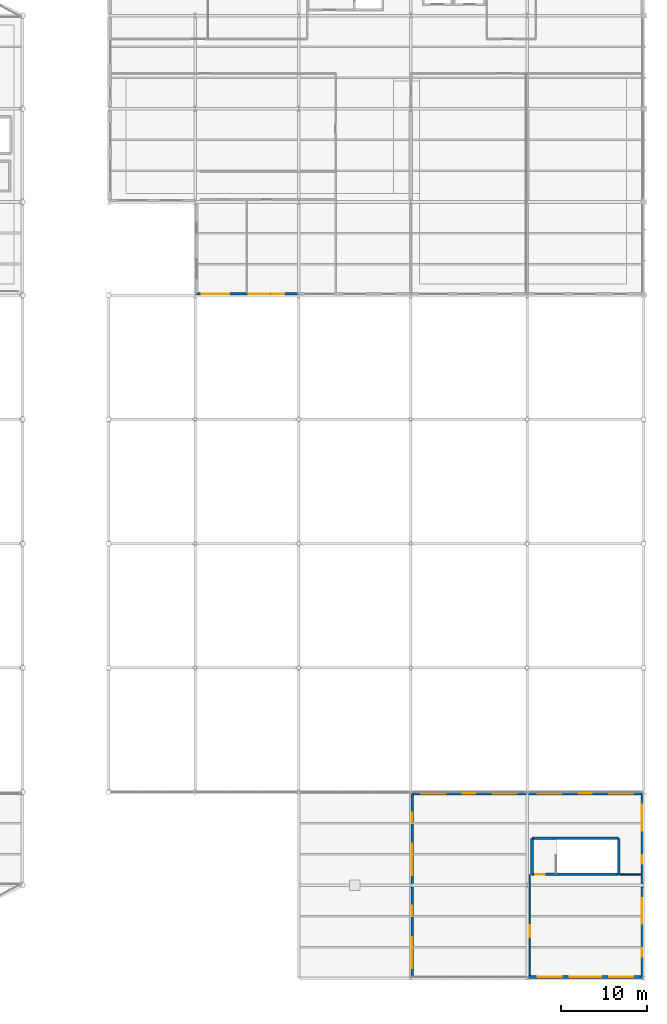
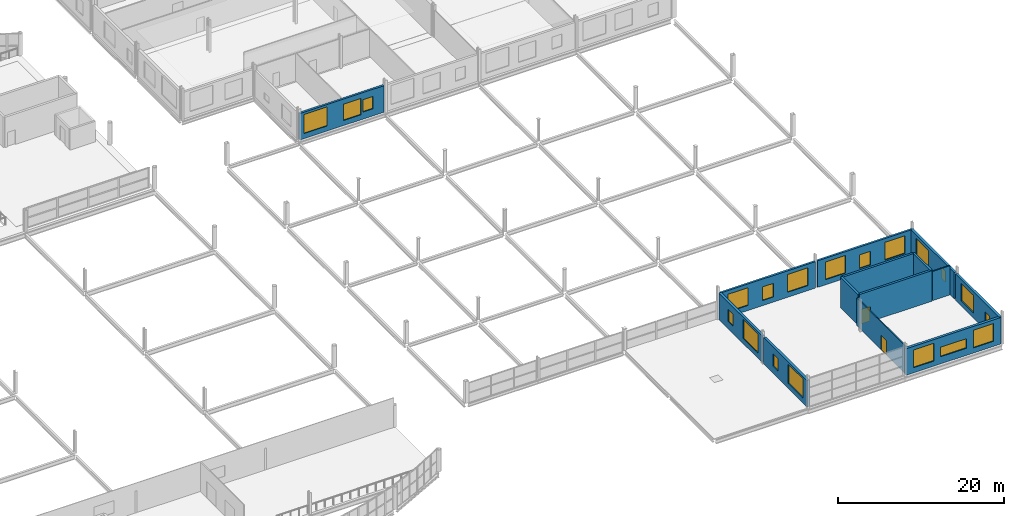
# One storey, part 124 of 134: 20 windows, 14 walls, 2 doors, 22 openings.
"""IFC4 building model written with IfcOpenShell, lengths in metres."""

from ifc_helpers import new_model, si_unit, direction, frame, frame_2d, origin, place, context, subcontext, project, spatial, rectangle, extrude, material, layer, layer_set, type_object, element, fill, save


model = new_model("IFC4")

# Units and contexts
model_context = context("Model", 3, precision=1e-05, world=origin(), true_north=direction((0.0, 1.0)))
body_context = subcontext(model_context, "Body", "Model", "MODEL_VIEW")
ifc_project = project(units=[si_unit("LENGTHUNIT", "METRE"), si_unit("AREAUNIT", "SQUARE_METRE"), si_unit("VOLUMEUNIT", "CUBIC_METRE"), si_unit("PLANEANGLEUNIT", "RADIAN"), si_unit("MASSUNIT", "GRAM", prefix="KILO")], contexts=[model_context])

# Site, building, storey
site_placement = place(None, origin())
site = spatial("IfcSite", under=ifc_project, at=site_placement, CompositionType="ELEMENT")
building_placement = place(site_placement, origin())
building = spatial("IfcBuilding", under=site, at=building_placement, Name="Tamarisk Ironworks Central Station", CompositionType="ELEMENT")
storey_placement = place(building_placement, frame((0.0, 0.0, 12.60009765625)))
storey = spatial("IfcBuildingStorey", under=building, at=storey_placement, Name="L02", CompositionType="ELEMENT", Elevation=12.60009765625)

# Wall, openings, windows
ifc_material_1 = material(Name="Clay facing brickwork and mortar", Category="masonry")
ifc_layer_1 = layer(ifc_material_1, 0.280029296875)
ifc_layer_set_1 = layer_set([ifc_layer_1], Name="Clay facing brickwork and mortar")
wall_type_1 = type_object("IfcWallType", Name="WL-BR280", PredefinedType="STANDARD", material=ifc_layer_set_1)
wall_1_placement = place(storey_placement, frame((128.14794921875, 79.340087890625, 0.0), z_axis=(0.0, 0.0, 1.0), x_axis=(1.0, 0.0, 0.0)))
wall_1 = element("IfcWall", 1, at=wall_1_placement, inside=storey, type_object=wall_type_1, Name="L02 brick facade wall 0068", PredefinedType="STANDARD", context=body_context, shape_type="SweptSolid", body=[
    extrude(rectangle(XDim=11.7041015625, YDim=0.280029296875, at=frame_2d((5.85205078125, 0.0))), origin(), (0.0, 0.0, 1.0), 3.89990234375),
])
opening_1_placement = place(wall_1_placement, frame((0.616943359375, 0.0, 0.75)))
opening_1 = element("IfcOpeningElement", 2, at=opening_1_placement, cuts=wall_1, Name="Opening W02", PredefinedType="OPENING", context=body_context, shape_type="SweptSolid", body=[
    extrude(rectangle(XDim=3.199951171875, YDim=2.800048828125, at=frame_2d((1.60009765625, 1.39990234375))), frame((0.0, 0.15185546875, 0.0), z_axis=(0.0, -1.0, 0.0), x_axis=(1.0, 0.0, 0.0)), (0.0, 0.0, 1.0), 0.303955078125),
])
opening_2_placement = place(wall_1_placement, frame((6.10205078125, 0.0, 0.75)))
opening_2 = element("IfcOpeningElement", 3, at=opening_2_placement, cuts=wall_1, Name="Opening W06", PredefinedType="OPENING", context=body_context, shape_type="SweptSolid", body=[
    extrude(rectangle(XDim=2.39990234375, YDim=2.39990234375, at=frame_2d((1.199951171875, 1.199951171875))), frame((0.0, 0.15185546875, 0.0), z_axis=(0.0, -1.0, 0.0), x_axis=(1.0, 0.0, 0.0)), (0.0, 0.0, 1.0), 0.303955078125),
])
opening_3_placement = place(wall_1_placement, frame((8.787109375, 0.0, 1.050048828125)))
opening_3 = element("IfcOpeningElement", 4, at=opening_3_placement, cuts=wall_1, Name="Opening W12", PredefinedType="OPENING", context=body_context, shape_type="SweptSolid", body=[
    extrude(rectangle(XDim=1.39990234375, YDim=1.800048828125, at=frame_2d((0.699951171875, 0.89990234375))), frame((0.0, 0.15185546875, 0.0), z_axis=(0.0, -1.0, 0.0), x_axis=(1.0, 0.0, 0.0)), (0.0, 0.0, 1.0), 0.303955078125),
])
ifc_material_2 = material(Name="Laminated solar-control low-E glass", Category="glass")
window_type_1 = type_object("IfcWindowType", Name="WN-02", PartitioningType="SINGLE_PANEL", PredefinedType="WINDOW", material=ifc_material_2)
window_1_placement = place(opening_1_placement, origin())
window_1 = element("IfcWindow", 5, at=window_1_placement, inside=storey, type_object=window_type_1, Name="L02 exterior window 0109", OverallHeight=2.800048828125, OverallWidth=3.199951171875, PartitioningType="DOUBLE_PANEL_VERTICAL", PredefinedType="WINDOW", context=body_context, shape_type="SweptSolid", body=[
    extrude(rectangle(XDim=3.199951171875, YDim=2.800048828125, at=frame_2d((1.60009765625, 1.39990234375))), frame((0.0, 0.030029296875, 0.0), z_axis=(0.0, -1.0, 0.0), x_axis=(1.0, 0.0, 0.0)), (0.0, 0.0, 1.0), 0.06005859375),
])
fill(opening_1, window_1)
window_type_2 = type_object("IfcWindowType", Name="WN-06", PartitioningType="SINGLE_PANEL", PredefinedType="WINDOW", material=ifc_material_2)
window_2_placement = place(opening_2_placement, origin())
window_2 = element("IfcWindow", 6, at=window_2_placement, inside=storey, type_object=window_type_2, Name="L02 exterior window 0110", OverallHeight=2.39990234375, OverallWidth=2.39990234375, PartitioningType="DOUBLE_PANEL_VERTICAL", PredefinedType="WINDOW", context=body_context, shape_type="SweptSolid", body=[
    extrude(rectangle(XDim=2.39990234375, YDim=2.39990234375, at=frame_2d((1.199951171875, 1.199951171875))), frame((0.0, 0.030029296875, 0.0), z_axis=(0.0, -1.0, 0.0), x_axis=(1.0, 0.0, 0.0)), (0.0, 0.0, 1.0), 0.06005859375),
])
fill(opening_2, window_2)
window_type_3 = type_object("IfcWindowType", Name="WN-12", PartitioningType="SINGLE_PANEL", PredefinedType="WINDOW", material=ifc_material_2)
window_3_placement = place(opening_3_placement, origin())
window_3 = element("IfcWindow", 7, at=window_3_placement, inside=storey, type_object=window_type_3, Name="L02 exterior window 0111", OverallHeight=1.800048828125, OverallWidth=1.39990234375, PartitioningType="DOUBLE_PANEL_VERTICAL", PredefinedType="WINDOW", context=body_context, shape_type="SweptSolid", body=[
    extrude(rectangle(XDim=1.39990234375, YDim=1.800048828125, at=frame_2d((0.699951171875, 0.89990234375))), frame((0.0, 0.030029296875, 0.0), z_axis=(0.0, -1.0, 0.0), x_axis=(1.0, 0.0, 0.0)), (0.0, 0.0, 1.0), 0.06005859375),
])
fill(opening_3, window_3)

wall_2_placement = place(storey_placement, frame((153.14794921875, 21.429931640625, 0.0), z_axis=(0.0, 0.0, 1.0), x_axis=(1.0, 0.0, 0.0)))
wall_2 = element("IfcWall", 8, at=wall_2_placement, inside=storey, type_object=wall_type_1, Name="L02 brick facade wall 0127", PredefinedType="STANDARD", context=body_context, shape_type="SweptSolid", body=[
    extrude(rectangle(XDim=13.2041015625, YDim=0.280029296875, at=frame_2d((6.60205078125, 0.0))), origin(), (0.0, 0.0, 1.0), 3.89990234375),
])
opening_4_placement = place(wall_2_placement, frame((1.06689453125, 0.0, 0.75)))
opening_4 = element("IfcOpeningElement", 9, at=opening_4_placement, cuts=wall_2, Name="Opening W04", PredefinedType="OPENING", context=body_context, shape_type="SweptSolid", body=[
    extrude(rectangle(XDim=2.800048828125, YDim=2.60009765625, at=frame_2d((1.39990234375, 1.300048828125))), frame((0.0, 0.15185546875, 0.0), z_axis=(0.0, -1.0, 0.0), x_axis=(1.0, 0.0, 0.0)), (0.0, 0.0, 1.0), 0.303955078125),
])
opening_5_placement = place(wall_2_placement, frame((5.85205078125, 0.0, 0.75)))
opening_5 = element("IfcOpeningElement", 10, at=opening_5_placement, cuts=wall_2, Name="Opening W11", PredefinedType="OPENING", context=body_context, shape_type="SweptSolid", body=[
    extrude(rectangle(XDim=1.5, YDim=2.0, at=frame_2d((0.75, 1.0))), frame((0.0, 0.15185546875, 0.0), z_axis=(0.0, -1.0, 0.0), x_axis=(1.0, 0.0, 0.0)), (0.0, 0.0, 1.0), 0.303955078125),
])
opening_6_placement = place(wall_2_placement, frame((9.3369140625, 0.0, 0.75)))
opening_6 = element("IfcOpeningElement", 11, at=opening_6_placement, cuts=wall_2, Name="Opening W04", PredefinedType="OPENING", context=body_context, shape_type="SweptSolid", body=[
    extrude(rectangle(XDim=2.800048828125, YDim=2.60009765625, at=frame_2d((1.39990234375, 1.300048828125))), frame((0.0, 0.15185546875, 0.0), z_axis=(0.0, -1.0, 0.0), x_axis=(1.0, 0.0, 0.0)), (0.0, 0.0, 1.0), 0.303955078125),
])
window_type_4 = type_object("IfcWindowType", Name="WN-04", PartitioningType="SINGLE_PANEL", PredefinedType="WINDOW", material=ifc_material_2)
window_4_placement = place(opening_4_placement, origin())
window_4 = element("IfcWindow", 12, at=window_4_placement, inside=storey, type_object=window_type_4, Name="L02 exterior window 0219", OverallHeight=2.60009765625, OverallWidth=2.800048828125, PartitioningType="DOUBLE_PANEL_VERTICAL", PredefinedType="WINDOW", context=body_context, shape_type="SweptSolid", body=[
    extrude(rectangle(XDim=2.800048828125, YDim=2.60009765625, at=frame_2d((1.39990234375, 1.300048828125))), frame((0.0, 0.030029296875, 0.0), z_axis=(0.0, -1.0, 0.0), x_axis=(1.0, 0.0, 0.0)), (0.0, 0.0, 1.0), 0.06005859375),
])
fill(opening_4, window_4)
window_5_placement = place(opening_6_placement, origin())
window_5 = element("IfcWindow", 13, at=window_5_placement, inside=storey, type_object=window_type_4, Name="L02 exterior window 0221", OverallHeight=2.60009765625, OverallWidth=2.800048828125, PartitioningType="DOUBLE_PANEL_VERTICAL", PredefinedType="WINDOW", context=body_context, shape_type="SweptSolid", body=[
    extrude(rectangle(XDim=2.800048828125, YDim=2.60009765625, at=frame_2d((1.39990234375, 1.300048828125))), frame((0.0, 0.030029296875, 0.0), z_axis=(0.0, -1.0, 0.0), x_axis=(1.0, 0.0, 0.0)), (0.0, 0.0, 1.0), 0.06005859375),
])
fill(opening_6, window_5)
window_type_5 = type_object("IfcWindowType", Name="WN-11", PartitioningType="SINGLE_PANEL", PredefinedType="WINDOW", material=ifc_material_2)
window_6_placement = place(opening_5_placement, origin())
window_6 = element("IfcWindow", 14, at=window_6_placement, inside=storey, type_object=window_type_5, Name="L02 exterior window 0220", OverallHeight=2.0, OverallWidth=1.5, PartitioningType="DOUBLE_PANEL_VERTICAL", PredefinedType="WINDOW", context=body_context, shape_type="SweptSolid", body=[
    extrude(rectangle(XDim=1.5, YDim=2.0, at=frame_2d((0.75, 1.0))), frame((0.0, 0.030029296875, 0.0), z_axis=(0.0, -1.0, 0.0), x_axis=(1.0, 0.0, 0.0)), (0.0, 0.0, 1.0), 0.06005859375),
])
fill(opening_5, window_6)

wall_3_placement = place(storey_placement, frame((166.64794921875, 21.429931640625, 0.0), z_axis=(0.0, 0.0, 1.0), x_axis=(1.0, 0.0, 0.0)))
wall_3 = element("IfcWall", 15, at=wall_3_placement, inside=storey, type_object=wall_type_1, Name="L02 brick facade wall 0128", PredefinedType="STANDARD", context=body_context, shape_type="SweptSolid", body=[
    extrude(rectangle(XDim=13.2041015625, YDim=0.280029296875, at=frame_2d((6.60205078125, 0.0))), origin(), (0.0, 0.0, 1.0), 3.89990234375),
])
opening_7_placement = place(wall_3_placement, frame((1.06689453125, 0.0, 0.75)))
opening_7 = element("IfcOpeningElement", 16, at=opening_7_placement, cuts=wall_3, Name="Opening W04", PredefinedType="OPENING", context=body_context, shape_type="SweptSolid", body=[
    extrude(rectangle(XDim=2.800048828125, YDim=2.60009765625, at=frame_2d((1.39990234375, 1.300048828125))), frame((0.0, 0.15185546875, 0.0), z_axis=(0.0, -1.0, 0.0), x_axis=(1.0, 0.0, 0.0)), (0.0, 0.0, 1.0), 0.303955078125),
])
opening_8_placement = place(wall_3_placement, frame((5.85205078125, 0.0, 0.75)))
opening_8 = element("IfcOpeningElement", 17, at=opening_8_placement, cuts=wall_3, Name="Opening W11", PredefinedType="OPENING", context=body_context, shape_type="SweptSolid", body=[
    extrude(rectangle(XDim=1.5, YDim=2.0, at=frame_2d((0.75, 1.0))), frame((0.0, 0.15185546875, 0.0), z_axis=(0.0, -1.0, 0.0), x_axis=(1.0, 0.0, 0.0)), (0.0, 0.0, 1.0), 0.303955078125),
])
opening_9_placement = place(wall_3_placement, frame((9.3369140625, 0.0, 0.75)))
opening_9 = element("IfcOpeningElement", 18, at=opening_9_placement, cuts=wall_3, Name="Opening W04", PredefinedType="OPENING", context=body_context, shape_type="SweptSolid", body=[
    extrude(rectangle(XDim=2.800048828125, YDim=2.60009765625, at=frame_2d((1.39990234375, 1.300048828125))), frame((0.0, 0.15185546875, 0.0), z_axis=(0.0, -1.0, 0.0), x_axis=(1.0, 0.0, 0.0)), (0.0, 0.0, 1.0), 0.303955078125),
])
window_7_placement = place(opening_7_placement, origin())
window_7 = element("IfcWindow", 19, at=window_7_placement, inside=storey, type_object=window_type_4, Name="L02 exterior window 0222", OverallHeight=2.60009765625, OverallWidth=2.800048828125, PartitioningType="DOUBLE_PANEL_VERTICAL", PredefinedType="WINDOW", context=body_context, shape_type="SweptSolid", body=[
    extrude(rectangle(XDim=2.800048828125, YDim=2.60009765625, at=frame_2d((1.39990234375, 1.300048828125))), frame((0.0, 0.030029296875, 0.0), z_axis=(0.0, -1.0, 0.0), x_axis=(1.0, 0.0, 0.0)), (0.0, 0.0, 1.0), 0.06005859375),
])
fill(opening_7, window_7)
window_8_placement = place(opening_9_placement, origin())
window_8 = element("IfcWindow", 20, at=window_8_placement, inside=storey, type_object=window_type_4, Name="L02 exterior window 0224", OverallHeight=2.60009765625, OverallWidth=2.800048828125, PartitioningType="DOUBLE_PANEL_VERTICAL", PredefinedType="WINDOW", context=body_context, shape_type="SweptSolid", body=[
    extrude(rectangle(XDim=2.800048828125, YDim=2.60009765625, at=frame_2d((1.39990234375, 1.300048828125))), frame((0.0, 0.030029296875, 0.0), z_axis=(0.0, -1.0, 0.0), x_axis=(1.0, 0.0, 0.0)), (0.0, 0.0, 1.0), 0.06005859375),
])
fill(opening_9, window_8)
window_9_placement = place(opening_8_placement, origin())
window_9 = element("IfcWindow", 21, at=window_9_placement, inside=storey, type_object=window_type_5, Name="L02 exterior window 0223", OverallHeight=2.0, OverallWidth=1.5, PartitioningType="DOUBLE_PANEL_VERTICAL", PredefinedType="WINDOW", context=body_context, shape_type="SweptSolid", body=[
    extrude(rectangle(XDim=1.5, YDim=2.0, at=frame_2d((0.75, 1.0))), frame((0.0, 0.030029296875, 0.0), z_axis=(0.0, -1.0, 0.0), x_axis=(1.0, 0.0, 0.0)), (0.0, 0.0, 1.0), 0.06005859375),
])
fill(opening_8, window_9)

ifc_layer_2 = layer(ifc_material_1, 0.340087890625)
ifc_layer_set_2 = layer_set([ifc_layer_2], Name="Clay facing brickwork and mortar")
wall_type_2 = type_object("IfcWallType", Name="WL-BR340", PredefinedType="STANDARD", material=ifc_layer_set_2)
wall_4_placement = place(storey_placement, frame((166.64794921875, 0.169921875, 0.0), z_axis=(0.0, 0.0, 1.0), x_axis=(1.0, 0.0, 0.0)))
wall_4 = element("IfcWall", 22, at=wall_4_placement, inside=storey, type_object=wall_type_2, Name="L02 brick facade wall 0126", PredefinedType="STANDARD", context=body_context, shape_type="SweptSolid", body=[
    extrude(rectangle(XDim=13.2041015625, YDim=0.340087890625, at=frame_2d((6.60205078125, 0.0))), origin(), (0.0, 0.0, 1.0), 3.89990234375),
])
opening_10_placement = place(wall_4_placement, frame((1.06689453125, 0.0, 0.75)))
opening_10 = element("IfcOpeningElement", 23, at=opening_10_placement, cuts=wall_4, Name="Opening W04", PredefinedType="OPENING", context=body_context, shape_type="SweptSolid", body=[
    extrude(rectangle(XDim=2.800048828125, YDim=2.60009765625, at=frame_2d((1.39990234375, 1.300048828125))), frame((0.0, 0.18212890625, 0.0), z_axis=(0.0, -1.0, 0.0), x_axis=(1.0, 0.0, 0.0)), (0.0, 0.0, 1.0), 0.364013671875),
])
opening_11_placement = place(wall_4_placement, frame((4.802001953125, 0.0, 1.050048828125)))
opening_11 = element("IfcOpeningElement", 24, at=opening_11_placement, cuts=wall_4, Name="Opening W15", PredefinedType="OPENING", context=body_context, shape_type="SweptSolid", body=[
    extrude(rectangle(XDim=3.60009765625, YDim=1.39990234375, at=frame_2d((1.800048828125, 0.699951171875))), frame((0.0, 0.18212890625, 0.0), z_axis=(0.0, -1.0, 0.0), x_axis=(1.0, 0.0, 0.0)), (0.0, 0.0, 1.0), 0.364013671875),
])
opening_12_placement = place(wall_4_placement, frame((9.3369140625, 0.0, 0.75)))
opening_12 = element("IfcOpeningElement", 25, at=opening_12_placement, cuts=wall_4, Name="Opening W04", PredefinedType="OPENING", context=body_context, shape_type="SweptSolid", body=[
    extrude(rectangle(XDim=2.800048828125, YDim=2.60009765625, at=frame_2d((1.39990234375, 1.300048828125))), frame((0.0, 0.18212890625, 0.0), z_axis=(0.0, -1.0, 0.0), x_axis=(1.0, 0.0, 0.0)), (0.0, 0.0, 1.0), 0.364013671875),
])
window_10_placement = place(opening_10_placement, origin())
window_10 = element("IfcWindow", 26, at=window_10_placement, inside=storey, type_object=window_type_4, Name="L02 exterior window 0216", OverallHeight=2.60009765625, OverallWidth=2.800048828125, PartitioningType="DOUBLE_PANEL_VERTICAL", PredefinedType="WINDOW", context=body_context, shape_type="SweptSolid", body=[
    extrude(rectangle(XDim=2.800048828125, YDim=2.60009765625, at=frame_2d((1.39990234375, 1.300048828125))), frame((0.0, 0.030029296875, 0.0), z_axis=(0.0, -1.0, 0.0), x_axis=(1.0, 0.0, 0.0)), (0.0, 0.0, 1.0), 0.06005859375),
])
fill(opening_10, window_10)
window_11_placement = place(opening_12_placement, origin())
window_11 = element("IfcWindow", 27, at=window_11_placement, inside=storey, type_object=window_type_4, Name="L02 exterior window 0218", OverallHeight=2.60009765625, OverallWidth=2.800048828125, PartitioningType="DOUBLE_PANEL_VERTICAL", PredefinedType="WINDOW", context=body_context, shape_type="SweptSolid", body=[
    extrude(rectangle(XDim=2.800048828125, YDim=2.60009765625, at=frame_2d((1.39990234375, 1.300048828125))), frame((0.0, 0.030029296875, 0.0), z_axis=(0.0, -1.0, 0.0), x_axis=(1.0, 0.0, 0.0)), (0.0, 0.0, 1.0), 0.06005859375),
])
fill(opening_12, window_11)
window_type_6 = type_object("IfcWindowType", Name="WN-15", PartitioningType="SINGLE_PANEL", PredefinedType="WINDOW", material=ifc_material_2)
window_12_placement = place(opening_11_placement, origin())
window_12 = element("IfcWindow", 28, at=window_12_placement, inside=storey, type_object=window_type_6, Name="L02 exterior window 0217", OverallHeight=1.39990234375, OverallWidth=3.60009765625, PartitioningType="DOUBLE_PANEL_VERTICAL", PredefinedType="WINDOW", context=body_context, shape_type="SweptSolid", body=[
    extrude(rectangle(XDim=3.60009765625, YDim=1.39990234375, at=frame_2d((1.800048828125, 0.699951171875))), frame((0.0, 0.030029296875, 0.0), z_axis=(0.0, -1.0, 0.0), x_axis=(1.0, 0.0, 0.0)), (0.0, 0.0, 1.0), 0.06005859375),
])
fill(opening_11, window_12)

wall_5_placement = place(storey_placement, frame((153.169921875, 0.177978515625, 0.0), z_axis=(0.0, 0.0, 1.0), x_axis=(0.0, 1.0, 0.0)))
wall_5 = element("IfcWall", 29, at=wall_5_placement, inside=storey, type_object=wall_type_2, Name="L02 brick facade wall 0129", PredefinedType="STANDARD", context=body_context, shape_type="SweptSolid", body=[
    extrude(rectangle(XDim=10.444091796875, YDim=0.340087890625, at=frame_2d((5.22216796875, 0.0))), origin(), (0.0, 0.0, 1.0), 3.89990234375),
])
opening_13_placement = place(wall_5_placement, frame((1.010986328125, 0.0, 0.75)))
opening_13 = element("IfcOpeningElement", 30, at=opening_13_placement, cuts=wall_5, Name="Opening W01", PredefinedType="OPENING", context=body_context, shape_type="SweptSolid", body=[
    extrude(rectangle(XDim=3.60009765625, YDim=2.800048828125, at=frame_2d((1.800048828125, 1.39990234375))), frame((0.0, 0.18212890625, 0.0), z_axis=(0.0, -1.0, 0.0), x_axis=(1.0, 0.0, 0.0)), (0.0, 0.0, 1.0), 0.364013671875),
])
opening_14_placement = place(wall_5_placement, frame((7.032958984375, 0.0, 1.050048828125)))
opening_14 = element("IfcOpeningElement", 31, at=opening_14_placement, cuts=wall_5, Name="Opening W13", PredefinedType="OPENING", context=body_context, shape_type="SweptSolid", body=[
    extrude(rectangle(XDim=1.199951171875, YDim=1.800048828125, at=frame_2d((0.60009765625, 0.89990234375))), frame((0.0, 0.18212890625, 0.0), z_axis=(0.0, -1.0, 0.0), x_axis=(1.0, 0.0, 0.0)), (0.0, 0.0, 1.0), 0.364013671875),
])
window_type_7 = type_object("IfcWindowType", Name="WN-01", PartitioningType="SINGLE_PANEL", PredefinedType="WINDOW", material=ifc_material_2)
window_13_placement = place(opening_13_placement, origin())
window_13 = element("IfcWindow", 32, at=window_13_placement, inside=storey, type_object=window_type_7, Name="L02 exterior window 0225", OverallHeight=2.800048828125, OverallWidth=3.60009765625, PartitioningType="DOUBLE_PANEL_VERTICAL", PredefinedType="WINDOW", context=body_context, shape_type="SweptSolid", body=[
    extrude(rectangle(XDim=3.60009765625, YDim=2.800048828125, at=frame_2d((1.800048828125, 1.39990234375))), frame((0.0, 0.030029296875, 0.0), z_axis=(0.0, -1.0, 0.0), x_axis=(1.0, 0.0, 0.0)), (0.0, 0.0, 1.0), 0.06005859375),
])
fill(opening_13, window_13)
window_type_8 = type_object("IfcWindowType", Name="WN-13", PartitioningType="SINGLE_PANEL", PredefinedType="WINDOW", material=ifc_material_2)
window_14_placement = place(opening_14_placement, origin())
window_14 = element("IfcWindow", 33, at=window_14_placement, inside=storey, type_object=window_type_8, Name="L02 exterior window 0226", OverallHeight=1.800048828125, OverallWidth=1.199951171875, PartitioningType="DOUBLE_PANEL_VERTICAL", PredefinedType="WINDOW", context=body_context, shape_type="SweptSolid", body=[
    extrude(rectangle(XDim=1.199951171875, YDim=1.800048828125, at=frame_2d((0.60009765625, 0.89990234375))), frame((0.0, 0.030029296875, 0.0), z_axis=(0.0, -1.0, 0.0), x_axis=(1.0, 0.0, 0.0)), (0.0, 0.0, 1.0), 0.06005859375),
])
fill(opening_14, window_14)

wall_6_placement = place(storey_placement, frame((179.830078125, 10.6220703125, 0.0), z_axis=(0.0, 0.0, 1.0), x_axis=(0.0, -1.0, 0.0)))
wall_6 = element("IfcWall", 34, at=wall_6_placement, inside=storey, type_object=wall_type_2, Name="L02 brick facade wall 0130", PredefinedType="STANDARD", context=body_context, shape_type="SweptSolid", body=[
    extrude(rectangle(XDim=10.444091796875, YDim=0.340087890625, at=frame_2d((5.22216796875, 0.0))), origin(), (0.0, 0.0, 1.0), 3.89990234375),
])
opening_15_placement = place(wall_6_placement, frame((1.31103515625, 0.0, 0.75)))
opening_15 = element("IfcOpeningElement", 35, at=opening_15_placement, cuts=wall_6, Name="Opening W03", PredefinedType="OPENING", context=body_context, shape_type="SweptSolid", body=[
    extrude(rectangle(XDim=3.0, YDim=2.60009765625, at=frame_2d((1.5, 1.300048828125))), frame((0.0, 0.18212890625, 0.0), z_axis=(0.0, -1.0, 0.0), x_axis=(1.0, 0.0, 0.0)), (0.0, 0.0, 1.0), 0.364013671875),
])
opening_16_placement = place(wall_6_placement, frame((7.133056640625, 0.0, 1.050048828125)))
opening_16 = element("IfcOpeningElement", 36, at=opening_16_placement, cuts=wall_6, Name="Opening W14", PredefinedType="OPENING", context=body_context, shape_type="SweptSolid", body=[
    extrude(rectangle(XDim=1.0, YDim=1.60009765625, at=frame_2d((0.5, 0.800048828125))), frame((0.0, 0.18212890625, 0.0), z_axis=(0.0, -1.0, 0.0), x_axis=(1.0, 0.0, 0.0)), (0.0, 0.0, 1.0), 0.364013671875),
])
window_type_9 = type_object("IfcWindowType", Name="WN-03", PartitioningType="SINGLE_PANEL", PredefinedType="WINDOW", material=ifc_material_2)
window_15_placement = place(opening_15_placement, origin())
window_15 = element("IfcWindow", 37, at=window_15_placement, inside=storey, type_object=window_type_9, Name="L02 exterior window 0227", OverallHeight=2.60009765625, OverallWidth=3.0, PartitioningType="DOUBLE_PANEL_VERTICAL", PredefinedType="WINDOW", context=body_context, shape_type="SweptSolid", body=[
    extrude(rectangle(XDim=3.0, YDim=2.60009765625, at=frame_2d((1.5, 1.300048828125))), frame((0.0, 0.030029296875, 0.0), z_axis=(0.0, -1.0, 0.0), x_axis=(1.0, 0.0, 0.0)), (0.0, 0.0, 1.0), 0.06005859375),
])
fill(opening_15, window_15)
window_type_10 = type_object("IfcWindowType", Name="WN-14", PartitioningType="SINGLE_PANEL", PredefinedType="WINDOW", material=ifc_material_2)
window_16_placement = place(opening_16_placement, origin())
window_16 = element("IfcWindow", 38, at=window_16_placement, inside=storey, type_object=window_type_10, Name="L02 exterior window 0228", OverallHeight=1.60009765625, OverallWidth=1.0, PartitioningType="DOUBLE_PANEL_VERTICAL", PredefinedType="WINDOW", context=body_context, shape_type="SweptSolid", body=[
    extrude(rectangle(XDim=1.0, YDim=1.60009765625, at=frame_2d((0.5, 0.800048828125))), frame((0.0, 0.030029296875, 0.0), z_axis=(0.0, -1.0, 0.0), x_axis=(1.0, 0.0, 0.0)), (0.0, 0.0, 1.0), 0.06005859375),
])
fill(opening_16, window_16)

wall_7_placement = place(storey_placement, frame((153.169921875, 10.97802734375, 0.0), z_axis=(0.0, 0.0, 1.0), x_axis=(0.0, 1.0, 0.0)))
wall_7 = element("IfcWall", 39, at=wall_7_placement, inside=storey, type_object=wall_type_2, Name="L02 brick facade wall 0131", PredefinedType="STANDARD", context=body_context, shape_type="SweptSolid", body=[
    extrude(rectangle(XDim=10.444091796875, YDim=0.340087890625, at=frame_2d((5.22216796875, 0.0))), origin(), (0.0, 0.0, 1.0), 3.89990234375),
])
opening_17_placement = place(wall_7_placement, frame((1.010986328125, 0.0, 0.75)))
opening_17 = element("IfcOpeningElement", 40, at=opening_17_placement, cuts=wall_7, Name="Opening W01", PredefinedType="OPENING", context=body_context, shape_type="SweptSolid", body=[
    extrude(rectangle(XDim=3.60009765625, YDim=2.800048828125, at=frame_2d((1.800048828125, 1.39990234375))), frame((0.0, 0.18212890625, 0.0), z_axis=(0.0, -1.0, 0.0), x_axis=(1.0, 0.0, 0.0)), (0.0, 0.0, 1.0), 0.364013671875),
])
opening_18_placement = place(wall_7_placement, frame((7.032958984375, 0.0, 1.050048828125)))
opening_18 = element("IfcOpeningElement", 41, at=opening_18_placement, cuts=wall_7, Name="Opening W13", PredefinedType="OPENING", context=body_context, shape_type="SweptSolid", body=[
    extrude(rectangle(XDim=1.199951171875, YDim=1.800048828125, at=frame_2d((0.60009765625, 0.89990234375))), frame((0.0, 0.18212890625, 0.0), z_axis=(0.0, -1.0, 0.0), x_axis=(1.0, 0.0, 0.0)), (0.0, 0.0, 1.0), 0.364013671875),
])
window_17_placement = place(opening_17_placement, origin())
window_17 = element("IfcWindow", 42, at=window_17_placement, inside=storey, type_object=window_type_7, Name="L02 exterior window 0229", OverallHeight=2.800048828125, OverallWidth=3.60009765625, PartitioningType="DOUBLE_PANEL_VERTICAL", PredefinedType="WINDOW", context=body_context, shape_type="SweptSolid", body=[
    extrude(rectangle(XDim=3.60009765625, YDim=2.800048828125, at=frame_2d((1.800048828125, 1.39990234375))), frame((0.0, 0.030029296875, 0.0), z_axis=(0.0, -1.0, 0.0), x_axis=(1.0, 0.0, 0.0)), (0.0, 0.0, 1.0), 0.06005859375),
])
fill(opening_17, window_17)
window_18_placement = place(opening_18_placement, origin())
window_18 = element("IfcWindow", 43, at=window_18_placement, inside=storey, type_object=window_type_8, Name="L02 exterior window 0230", OverallHeight=1.800048828125, OverallWidth=1.199951171875, PartitioningType="DOUBLE_PANEL_VERTICAL", PredefinedType="WINDOW", context=body_context, shape_type="SweptSolid", body=[
    extrude(rectangle(XDim=1.199951171875, YDim=1.800048828125, at=frame_2d((0.60009765625, 0.89990234375))), frame((0.0, 0.030029296875, 0.0), z_axis=(0.0, -1.0, 0.0), x_axis=(1.0, 0.0, 0.0)), (0.0, 0.0, 1.0), 0.06005859375),
])
fill(opening_18, window_18)

wall_8_placement = place(storey_placement, frame((179.830078125, 21.422119140625, 0.0), z_axis=(0.0, 0.0, 1.0), x_axis=(0.0, -1.0, 0.0)))
wall_8 = element("IfcWall", 44, at=wall_8_placement, inside=storey, type_object=wall_type_2, Name="L02 brick facade wall 0132", PredefinedType="STANDARD", context=body_context, shape_type="SweptSolid", body=[
    extrude(rectangle(XDim=10.444091796875, YDim=0.340087890625, at=frame_2d((5.22216796875, 0.0))), origin(), (0.0, 0.0, 1.0), 3.89990234375),
])
opening_19_placement = place(wall_8_placement, frame((1.31103515625, 0.0, 0.75)))
opening_19 = element("IfcOpeningElement", 45, at=opening_19_placement, cuts=wall_8, Name="Opening W03", PredefinedType="OPENING", context=body_context, shape_type="SweptSolid", body=[
    extrude(rectangle(XDim=3.0, YDim=2.60009765625, at=frame_2d((1.5, 1.300048828125))), frame((0.0, 0.18212890625, 0.0), z_axis=(0.0, -1.0, 0.0), x_axis=(1.0, 0.0, 0.0)), (0.0, 0.0, 1.0), 0.364013671875),
])
opening_20_placement = place(wall_8_placement, frame((7.133056640625, 0.0, 1.050048828125)))
opening_20 = element("IfcOpeningElement", 46, at=opening_20_placement, cuts=wall_8, Name="Opening W14", PredefinedType="OPENING", context=body_context, shape_type="SweptSolid", body=[
    extrude(rectangle(XDim=1.0, YDim=1.60009765625, at=frame_2d((0.5, 0.800048828125))), frame((0.0, 0.18212890625, 0.0), z_axis=(0.0, -1.0, 0.0), x_axis=(1.0, 0.0, 0.0)), (0.0, 0.0, 1.0), 0.364013671875),
])
window_19_placement = place(opening_19_placement, origin())
window_19 = element("IfcWindow", 47, at=window_19_placement, inside=storey, type_object=window_type_9, Name="L02 exterior window 0231", OverallHeight=2.60009765625, OverallWidth=3.0, PartitioningType="DOUBLE_PANEL_VERTICAL", PredefinedType="WINDOW", context=body_context, shape_type="SweptSolid", body=[
    extrude(rectangle(XDim=3.0, YDim=2.60009765625, at=frame_2d((1.5, 1.300048828125))), frame((0.0, 0.030029296875, 0.0), z_axis=(0.0, -1.0, 0.0), x_axis=(1.0, 0.0, 0.0)), (0.0, 0.0, 1.0), 0.06005859375),
])
fill(opening_19, window_19)
window_20_placement = place(opening_20_placement, origin())
window_20 = element("IfcWindow", 48, at=window_20_placement, inside=storey, type_object=window_type_10, Name="L02 exterior window 0232", OverallHeight=1.60009765625, OverallWidth=1.0, PartitioningType="DOUBLE_PANEL_VERTICAL", PredefinedType="WINDOW", context=body_context, shape_type="SweptSolid", body=[
    extrude(rectangle(XDim=1.0, YDim=1.60009765625, at=frame_2d((0.5, 0.800048828125))), frame((0.0, 0.030029296875, 0.0), z_axis=(0.0, -1.0, 0.0), x_axis=(1.0, 0.0, 0.0)), (0.0, 0.0, 1.0), 0.06005859375),
])
fill(opening_20, window_20)

# Wall, opening, door
ifc_material_3 = material(Name="Concrete C50/60", Category="concrete")
ifc_layer_3 = layer(ifc_material_3, 0.300048828125)
ifc_layer_set_3 = layer_set([ifc_layer_3], Name="Concrete C50/60")
wall_type_3 = type_object("IfcWallType", Name="WL-CW300", PredefinedType="SOLIDWALL", material=ifc_layer_set_3)
wall_9_placement = place(storey_placement, frame((167.054931640625, 12.054931640625, 0.0), z_axis=(0.0, 0.0, 1.0), x_axis=(1.0, 0.0, 0.0)))
wall_9 = element("IfcWall", 49, at=wall_9_placement, inside=storey, type_object=wall_type_3, Name="ST-C7 core wall L (L02)", PredefinedType="SOLIDWALL", context=body_context, shape_type="SweptSolid", body=[
    extrude(rectangle(XDim=10.0400390625, YDim=0.300048828125, at=frame_2d((5.02001953125, 0.0))), origin(), (0.0, 0.0, 1.0), 4.5),
])
opening_21_placement = place(wall_9_placement, frame((0.35009765625, 0.0, 0.0048828125)))
opening_21 = element("IfcOpeningElement", 50, at=opening_21_placement, cuts=wall_9, Name="Opening FD06", PredefinedType="OPENING", context=body_context, shape_type="SweptSolid", body=[
    extrude(rectangle(XDim=1.14990234375, YDim=2.14990234375, at=frame_2d((0.574951171875, 1.074951171875))), frame((0.0, 0.162109375, 0.0), z_axis=(0.0, -1.0, 0.0), x_axis=(1.0, 0.0, 0.0)), (0.0, 0.0, 1.0), 0.323974609375),
])
ifc_material_4 = material(Name="Galvanised hollow-metal door steel", Category="steel")
door_type_1 = type_object("IfcDoorType", Name="DR-FD06", OperationType="NOTDEFINED", PredefinedType="DOOR", material=ifc_material_4)
door_1_placement = place(opening_21_placement, origin())
door_1 = element("IfcDoor", 51, at=door_1_placement, inside=storey, type_object=door_type_1, Name="ST-C7 fire stair door (L02)", OperationType="SINGLE_SWING_LEFT", OverallHeight=2.14990234375, OverallWidth=1.14990234375, PredefinedType="DOOR", context=body_context, shape_type="SweptSolid", body=[
    extrude(rectangle(XDim=1.14990234375, YDim=2.14990234375, at=frame_2d((0.574951171875, 1.074951171875))), frame((0.0, 0.02490234375, 0.0), z_axis=(0.0, -1.0, 0.0), x_axis=(1.0, 0.0, 0.0)), (0.0, 0.0, 1.0), 0.050048828125),
])
fill(opening_21, door_1)

# Walls
wall_10_placement = place(storey_placement, frame((167.054931640625, 16.2451171875, 0.0), z_axis=(0.0, 0.0, 1.0), x_axis=(1.0, 0.0, 0.0)))
element("IfcWall", 52, at=wall_10_placement, inside=storey, type_object=wall_type_3, Name="ST-C7 core wall R (L02)", PredefinedType="SOLIDWALL", context=body_context, shape_type="SweptSolid", body=[
    extrude(rectangle(XDim=10.0400390625, YDim=0.300048828125, at=frame_2d((5.02001953125, 0.0))), origin(), (0.0, 0.0, 1.0), 4.5),
])
for number, where, z_axis, x_axis, name in (
    (53, (167.054931640625, 12.054931640625, 0.0), (0.0, 0.0, 1.0), (0.0, 1.0, 0.0), "ST-C7 core wall N (L02)"),
    (54, (177.094970703125, 12.054931640625, 0.0), (0.0, 0.0, 1.0), (0.0, 1.0, 0.0), "ST-C7 core wall F (L02)"),
):
    element("IfcWall", number, at=place(storey_placement, frame(where, z_axis=z_axis, x_axis=x_axis)), inside=storey, type_object=wall_type_3, Name=name, PredefinedType="SOLIDWALL", context=body_context, shape_type="SweptSolid", body=[
        extrude(rectangle(XDim=4.190185546875, YDim=0.300048828125, at=frame_2d((2.09521484375, 0.0))), origin(), (0.0, 0.0, 1.0), 4.5),
    ])

# Wall, opening, door
ifc_material_5 = material(Name="Gypsum plasterboard acoustic partition")
ifc_layer_4 = layer(ifc_material_5, 0.14990234375)
ifc_layer_set_4 = layer_set([ifc_layer_4], Name="Gypsum plasterboard acoustic partition")
wall_type_4 = type_object("IfcWallType", Name="WL-PT150", PredefinedType="PARTITIONING", material=ifc_layer_set_4)
wall_11_placement = place(storey_placement, frame((166.800048828125, 0.337890625, 0.0), z_axis=(0.0, 0.0, 1.0), x_axis=(0.0, 1.0, 0.0)))
wall_11 = element("IfcWall", 55, at=wall_11_placement, inside=storey, type_object=wall_type_4, Name="L02 interior partition 0051", PredefinedType="PARTITIONING", context=body_context, shape_type="SweptSolid", body=[
    extrude(rectangle(XDim=11.662109375, YDim=0.14990234375, at=frame_2d((5.8310546875, 0.0))), origin(), (0.0, 0.0, 1.0), 4.079833984375),
])
opening_22_placement = place(wall_11_placement, frame((4.4619140625, 0.0, 0.0048828125)))
opening_22 = element("IfcOpeningElement", 56, at=opening_22_placement, cuts=wall_11, Name="Opening FD05", PredefinedType="OPENING", context=body_context, shape_type="SweptSolid", body=[
    extrude(rectangle(XDim=1.35009765625, YDim=2.14990234375, at=frame_2d((0.675048828125, 1.074951171875))), frame((0.0, 0.0869140625, 0.0), z_axis=(0.0, -1.0, 0.0), x_axis=(1.0, 0.0, 0.0)), (0.0, 0.0, 1.0), 0.173828125),
])
door_type_2 = type_object("IfcDoorType", Name="DR-FD05", OperationType="NOTDEFINED", PredefinedType="DOOR", material=ifc_material_4)
door_2_placement = place(opening_22_placement, origin())
door_2 = element("IfcDoor", 57, at=door_2_placement, inside=storey, type_object=door_type_2, Name="L02 room door 0039", OperationType="SINGLE_SWING_RIGHT", OverallHeight=2.14990234375, OverallWidth=1.35009765625, PredefinedType="DOOR", context=body_context, shape_type="SweptSolid", body=[
    extrude(rectangle(XDim=1.35009765625, YDim=2.14990234375, at=frame_2d((0.675048828125, 1.074951171875))), frame((0.0, 0.02490234375, 0.0), z_axis=(0.0, -1.0, 0.0), x_axis=(1.0, 0.0, 0.0)), (0.0, 0.0, 1.0), 0.050048828125),
])
fill(opening_22, door_2)

# Wall
wall_12_placement = place(storey_placement, frame((177.242919921875, 12.050048828125, 0.0), z_axis=(0.0, 0.0, 1.0), x_axis=(1.0, 0.0, 0.0)))
element("IfcWall", 58, at=wall_12_placement, inside=storey, type_object=wall_type_4, Name="L02 interior partition 0052", PredefinedType="PARTITIONING", context=body_context, shape_type="SweptSolid", body=[
    extrude(rectangle(XDim=2.419189453125, YDim=0.14990234375, at=frame_2d((1.20947265625, 0.0))), origin(), (0.0, 0.0, 1.0), 4.27001953125),
])

save(model, "model.ifc")
